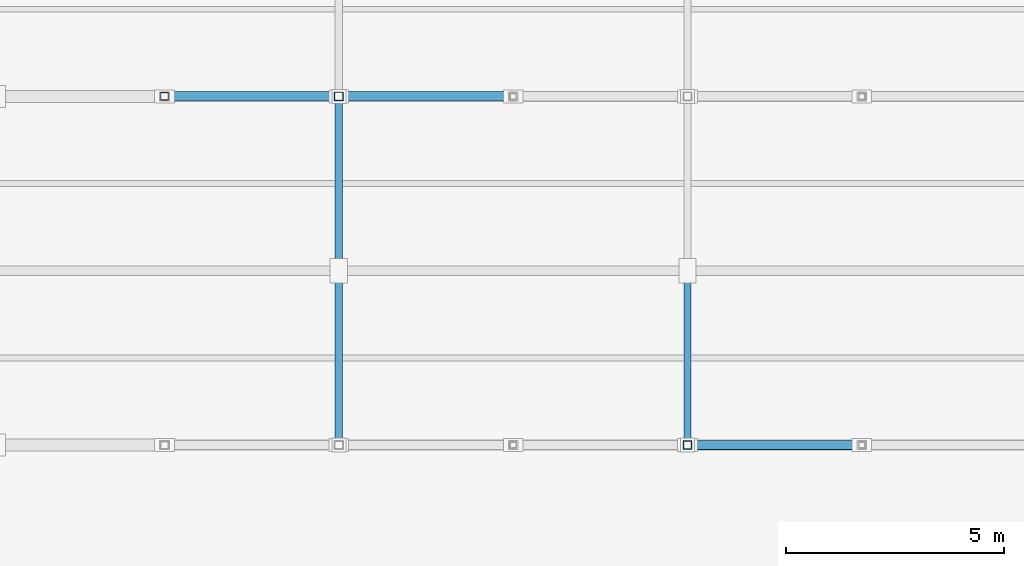
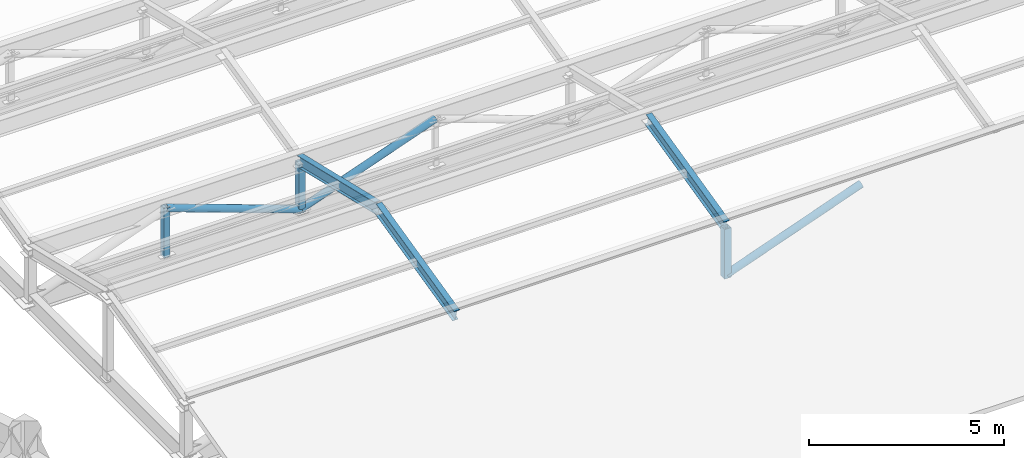
# One storey, part 40 of 112: 9 members.
"""IFC4 building model written with IfcOpenShell, lengths in metres."""

from ifc_helpers import new_model, si_unit, direction, frame, origin, origin_2d, place, context, subcontext, project, spatial, hollow_rectangle, hollow_circle, i_section, extrude, material, material_profile, profile_set, type_object, element, save


model = new_model("IFC4")

# Units and contexts
model_context = context("Model", 3, precision=1e-05, world=origin(), true_north=direction((0.0, 1.0)))
body_context = subcontext(model_context, "Body", "Model", "MODEL_VIEW")
ifc_project = project(units=[si_unit("LENGTHUNIT", "METRE"), si_unit("AREAUNIT", "SQUARE_METRE"), si_unit("VOLUMEUNIT", "CUBIC_METRE"), si_unit("PLANEANGLEUNIT", "RADIAN"), si_unit("MASSUNIT", "GRAM", prefix="KILO")], contexts=[model_context])

# Site, building, storey
site_placement = place(None, origin())
site = spatial("IfcSite", under=ifc_project, at=site_placement, CompositionType="ELEMENT")
building_placement = place(site_placement, origin())
building = spatial("IfcBuilding", under=site, at=building_placement, Name="Celadon Cloister-Ring School", CompositionType="ELEMENT")
storey_placement = place(building_placement, frame((0.0, 0.0, 8.5)))
storey = spatial("IfcBuildingStorey", under=building, at=storey_placement, Name="L02", CompositionType="ELEMENT", Elevation=8.5)

# Members
ifc_material_1 = material(Name="Structural steel S355JR", Category="steel")
ifc_material_profile_1 = material_profile(ifc_material_1, hollow_rectangle(XDim=0.199951171875, YDim=0.199951171875, WallThickness=0.010009765625, at=origin_2d()), Name="HSS200X200X10")
ifc_profile_set_1 = profile_set([ifc_material_profile_1], Name="Structural steel S355JR")
member_type_1 = type_object("IfcMemberType", Name="MB-03", PredefinedType="BRACE", material=ifc_profile_set_1)
for number, where, z_axis, x_axis, name in (
    (1, (158.0, 74.0, 0.919921875), (0.0, 0.0, 1.0), (1.0, 0.0, 0.0), "Structural Member 0401"),
    (2, (150.0, 82.0, 0.919921875), (0.0, 0.0, 1.0), (1.0, 0.0, 0.0), "Structural Member 0418"),
):
    element("IfcMember", number, at=place(storey_placement, frame(where, z_axis=z_axis, x_axis=x_axis)), inside=storey, type_object=member_type_1, Name=name, PredefinedType="BRACE", context=body_context, shape_type="SweptSolid", body=[
        extrude(hollow_rectangle(XDim=0.199951171875, YDim=0.199951171875, WallThickness=0.010009765625, at=origin_2d()), origin(), (0.0, 0.0, 1.0), 1.56005859375),
    ])
ifc_material_2 = material(Name="Structural steel S355JR", Category="steel")
ifc_material_profile_2 = material_profile(ifc_material_2, hollow_rectangle(XDim=0.179931640625, YDim=0.179931640625, WallThickness=0.008056640625, at=origin_2d()), Name="HSS180X180X8")
ifc_profile_set_2 = profile_set([ifc_material_profile_2], Name="Structural steel S355JR")
member_type_2 = type_object("IfcMemberType", Name="MB-04", PredefinedType="BRACE", material=ifc_profile_set_2)
member_placement = place(storey_placement, frame((146.0, 82.0, 0.919921875), z_axis=(0.0, 0.0, 1.0), x_axis=(1.0, 0.0, 0.0)))
element("IfcMember", 3, at=member_placement, inside=storey, type_object=member_type_2, Name="Structural Member 0416", PredefinedType="BRACE", context=body_context, shape_type="SweptSolid", body=[
    extrude(hollow_rectangle(XDim=0.179931640625, YDim=0.179931640625, WallThickness=0.008056640625, at=origin_2d()), origin(), (0.0, 0.0, 1.0), 1.56005859375),
])
ifc_material_3 = material(Name="Structural steel S355JR", Category="steel")
ifc_material_profile_3 = material_profile(ifc_material_3, hollow_circle(Radius=0.109619140625, WallThickness=0.010009765625, at=origin_2d()), Name="CHS219.1X10")
ifc_profile_set_3 = profile_set([ifc_material_profile_3], Name="Structural steel S355JR")
member_type_3 = type_object("IfcMemberType", Name="MB-08", PredefinedType="BRACE", material=ifc_profile_set_3)
for number, where, z_axis, x_axis, name in (
    (4, (158.0, 74.0, 0.97998046875), (0.94089180426, 0.0, 0.338707266939), (0.0, 1.0, 0.0), "Structural Member 0408"),
    (5, (146.0, 82.0, 2.419921875), (0.94089180426, 0.0, -0.338707266939), (0.0, 1.0, 0.0), "Structural Member 0424"),
    (6, (150.0, 82.0, 0.97998046875), (0.94089180426, 0.0, 0.338707266939), (0.0, 1.0, 0.0), "Structural Member 0425"),
):
    element("IfcMember", number, at=place(storey_placement, frame(where, z_axis=z_axis, x_axis=x_axis)), inside=storey, type_object=member_type_3, Name=name, PredefinedType="BRACE", context=body_context, shape_type="SweptSolid", body=[
        extrude(hollow_circle(Radius=0.109619140625, WallThickness=0.010009765625, at=origin_2d()), origin(), (0.0, 0.0, 1.0), 4.251220703125),
    ])
ifc_material_4 = material(Name="Structural steel S355JR", Category="steel")
ifc_material_profile_4 = material_profile(ifc_material_4, i_section(OverallWidth=0.1708984375, OverallDepth=0.35498046875, WebThickness=0.007080078125, FlangeThickness=0.01171875, at=origin_2d()), Name="W360X51")
ifc_profile_set_4 = profile_set([ifc_material_profile_4], Name="Structural steel S355JR")
member_type_4 = type_object("IfcMemberType", Name="MR-05", PredefinedType="RAFTER", material=ifc_profile_set_4)
for number, where, z_axis, x_axis, name in (
    (7, (150.0, 74.0, 2.5), (0.0, 0.97293922076, 0.231061188231), (-1.0, 0.0, 0.0), "Structural Member 0512"),
    (8, (150.0, 78.0, 3.449951171875), (0.0, 0.97293922076, -0.231061188231), (-1.0, 0.0, 0.0), "Structural Member 0513"),
    (9, (158.0, 74.0, 2.5), (0.0, 0.97293922076, 0.231061188231), (-1.0, 0.0, 0.0), "Structural Member 0514"),
):
    element("IfcMember", number, at=place(storey_placement, frame(where, z_axis=z_axis, x_axis=x_axis)), inside=storey, type_object=member_type_4, Name=name, PredefinedType="RAFTER", context=body_context, shape_type="SweptSolid", body=[
        extrude(i_section(OverallWidth=0.1708984375, OverallDepth=0.35498046875, WebThickness=0.007080078125, FlangeThickness=0.01171875, at=origin_2d()), origin(), (0.0, 0.0, 1.0), 4.111328125),
    ])

save(model, "model.ifc")
